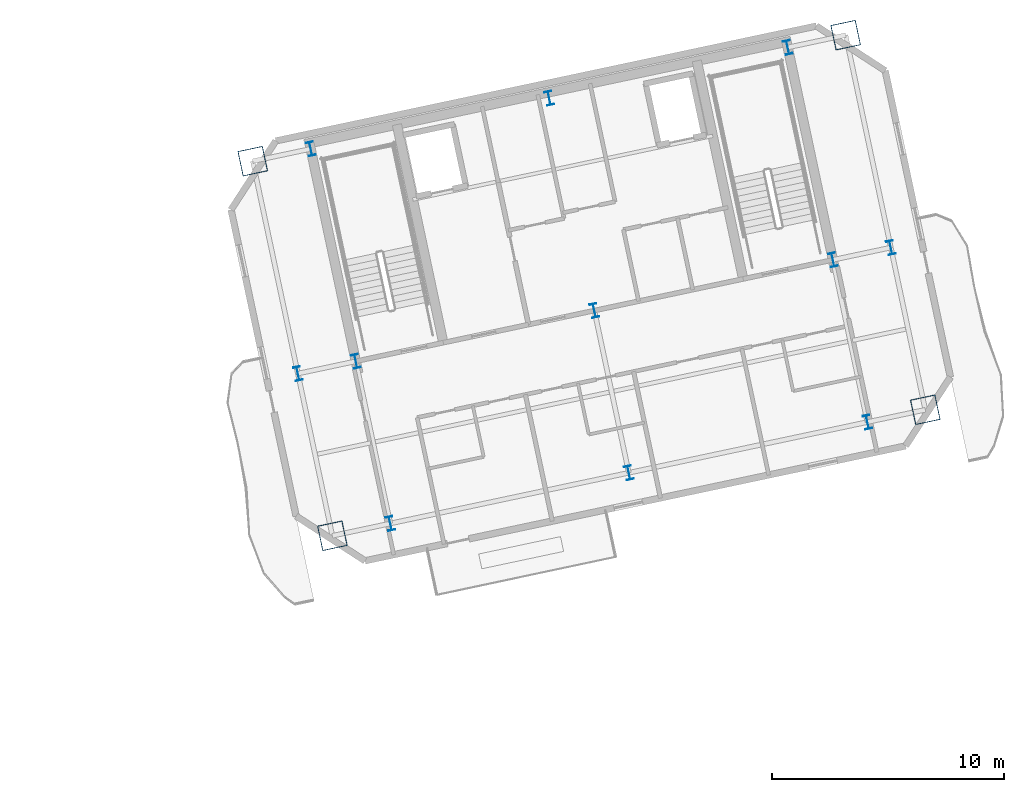
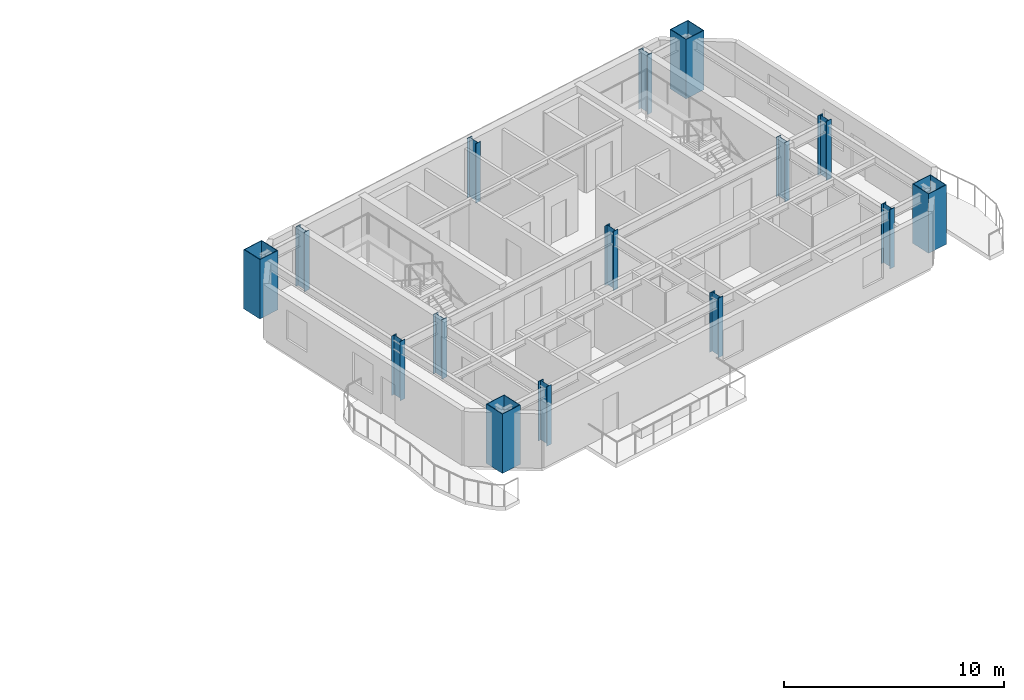
# One storey, part 2 of 14: 15 columns.
"""IFC4 building model written with IfcOpenShell, lengths in metres."""

from ifc_helpers import new_model, si_unit, direction, frame, origin, origin_2d, place, context, subcontext, project, spatial, hollow_rectangle, i_section, extrude, material, material_profile, profile_set, type_object, element, save


model = new_model("IFC4")

# Units and contexts
model_context = context("Model", 3, precision=1e-05, world=origin(), true_north=direction((0.0, 1.0)))
body_context = subcontext(model_context, "Body", "Model", "MODEL_VIEW")
ifc_project = project(units=[si_unit("LENGTHUNIT", "METRE"), si_unit("AREAUNIT", "SQUARE_METRE"), si_unit("VOLUMEUNIT", "CUBIC_METRE"), si_unit("PLANEANGLEUNIT", "RADIAN"), si_unit("MASSUNIT", "GRAM", prefix="KILO")], contexts=[model_context])

# Site, building, storey
site_placement = place(None, origin())
site = spatial("IfcSite", under=ifc_project, at=site_placement, CompositionType="ELEMENT")
building_placement = place(site_placement, origin())
building = spatial("IfcBuilding", under=site, at=building_placement, Name="Haevon Station Towers", CompositionType="ELEMENT")
storey_placement = place(building_placement, frame((0.0, 0.0, 228.60009765625)))
storey = spatial("IfcBuildingStorey", under=building, at=storey_placement, Name="L63", CompositionType="ELEMENT", Elevation=228.60009765625)

# Columns
ifc_material_1 = material(Name="Steel S460", Category="steel")
ifc_material_profile_1 = material_profile(ifc_material_1, hollow_rectangle(XDim=1.10009765625, YDim=1.10009765625, WallThickness=0.031982421875, at=origin_2d()), Name="BOX-1100x1100x32")
ifc_profile_set_1 = profile_set([ifc_material_profile_1], Name="Steel S460")
column_type_1 = type_object("IfcColumnType", Name="COL-MC5", PredefinedType="COLUMN", material=ifc_profile_set_1)
for number, where, z_axis, x_axis, name in (
    (1, (97.74267578125, 29.92822265625, 0.0), (0.0, 0.0, 1.0), (0.978147600734, 0.207911690818, 0.0), "COL-T2-L63-01-01"),
    (2, (94.314208984375, 46.057861328125, 0.0), (0.0, 0.0, 1.0), (0.978147600734, 0.207911690818, 0.0), "COL-T2-L63-01-03"),
    (3, (123.272216796875, 35.354736328125, 0.0), (0.0, 0.0, 1.0), (0.978147600734, 0.207911690818, 0.0), "COL-T2-L63-05-01"),
    (4, (119.84375, 51.484375, 0.0), (0.0, 0.0, 1.0), (0.978147600734, 0.207911690818, 0.0), "COL-T2-L63-05-03"),
):
    element("IfcColumn", number, at=place(storey_placement, frame(where, z_axis=z_axis, x_axis=x_axis)), inside=storey, type_object=column_type_1, Name=name, PredefinedType="COLUMN", context=body_context, shape_type="SweptSolid", body=[
        extrude(hollow_rectangle(XDim=1.10009765625, YDim=1.10009765625, WallThickness=0.031982421875, at=origin_2d()), origin(), (0.0, 0.0, 1.0), 3.2998046875),
    ])
ifc_material_2 = material(Name="Steel S355", Category="steel")
ifc_material_profile_2 = material_profile(ifc_material_2, i_section(OverallWidth=0.300048828125, OverallDepth=0.60009765625, WebThickness=0.013916015625, FlangeThickness=0.02490234375, at=origin_2d()), Name="H-600x300x14x25")
ifc_profile_set_2 = profile_set([ifc_material_profile_2], Name="Steel S355")
column_type_2 = type_object("IfcColumnType", Name="COL-TW4", PredefinedType="COLUMN", material=ifc_profile_set_2)
for number, where, z_axis, x_axis, name in (
    (5, (96.258056640625, 36.912353515625, 0.0), (0.0, 0.0, 1.0), (0.978147600734, 0.207911690818, 0.0), "COL-T2-L63-01-02"),
    (6, (100.23681640625, 30.45849609375, 0.0), (0.0, 0.0, 1.0), (0.978147600734, 0.207911690818, 0.0), "COL-T2-L63-02-01"),
    (7, (98.75244140625, 37.4423828125, 0.0), (0.0, 0.0, 1.0), (0.978147600734, 0.207911690818, 0.0), "COL-T2-L63-02-02"),
    (8, (96.808349609375, 46.588134765625, 0.0), (0.0, 0.0, 1.0), (0.978147600734, 0.207911690818, 0.0), "COL-T2-L63-02-03"),
    (9, (110.50732421875, 32.6416015625, 0.0), (0.0, 0.0, 1.0), (0.978147600734, 0.207911690818, 0.0), "COL-T2-L63-03-01"),
    (10, (109.02294921875, 39.62548828125, 0.0), (0.0, 0.0, 1.0), (0.978147600734, 0.207911690818, 0.0), "COL-T2-L63-03-02"),
    (11, (107.078857421875, 48.771240234375, 0.0), (0.0, 0.0, 1.0), (0.978147600734, 0.207911690818, 0.0), "COL-T2-L63-03-03"),
    (12, (120.77783203125, 34.824462890625, 0.0), (0.0, 0.0, 1.0), (0.978147600734, 0.207911690818, 0.0), "COL-T2-L63-04-01"),
    (13, (119.29345703125, 41.80859375, 0.0), (0.0, 0.0, 1.0), (0.978147600734, 0.207911690818, 0.0), "COL-T2-L63-04-02"),
    (14, (117.349365234375, 50.954345703125, 0.0), (0.0, 0.0, 1.0), (0.978147600734, 0.207911690818, 0.0), "COL-T2-L63-04-03"),
    (15, (121.787841796875, 42.338623046875, 0.0), (0.0, 0.0, 1.0), (0.978147600734, 0.207911690818, 0.0), "COL-T2-L63-05-02"),
):
    element("IfcColumn", number, at=place(storey_placement, frame(where, z_axis=z_axis, x_axis=x_axis)), inside=storey, type_object=column_type_2, Name=name, PredefinedType="COLUMN", context=body_context, shape_type="SweptSolid", body=[
        extrude(i_section(OverallWidth=0.300048828125, OverallDepth=0.60009765625, WebThickness=0.013916015625, FlangeThickness=0.02490234375, at=origin_2d()), origin(), (0.0, 0.0, 1.0), 3.2998046875),
    ])

save(model, "model.ifc")
